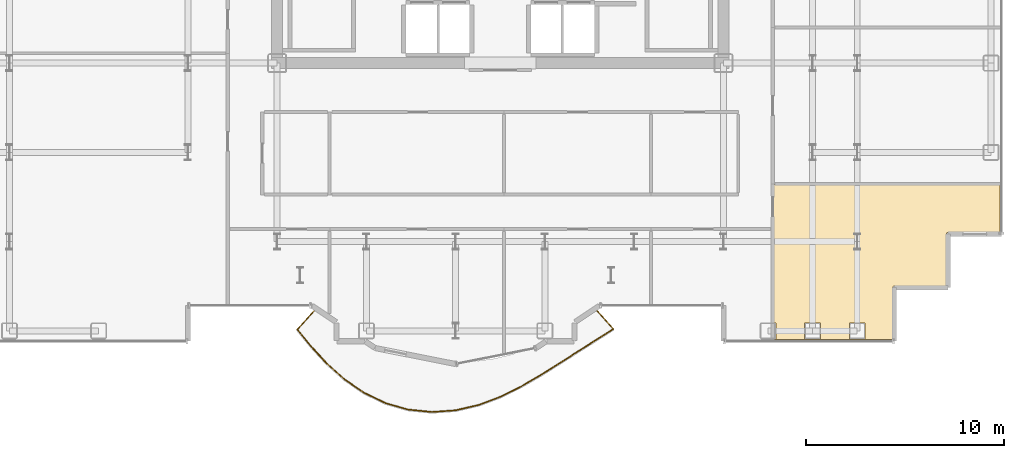
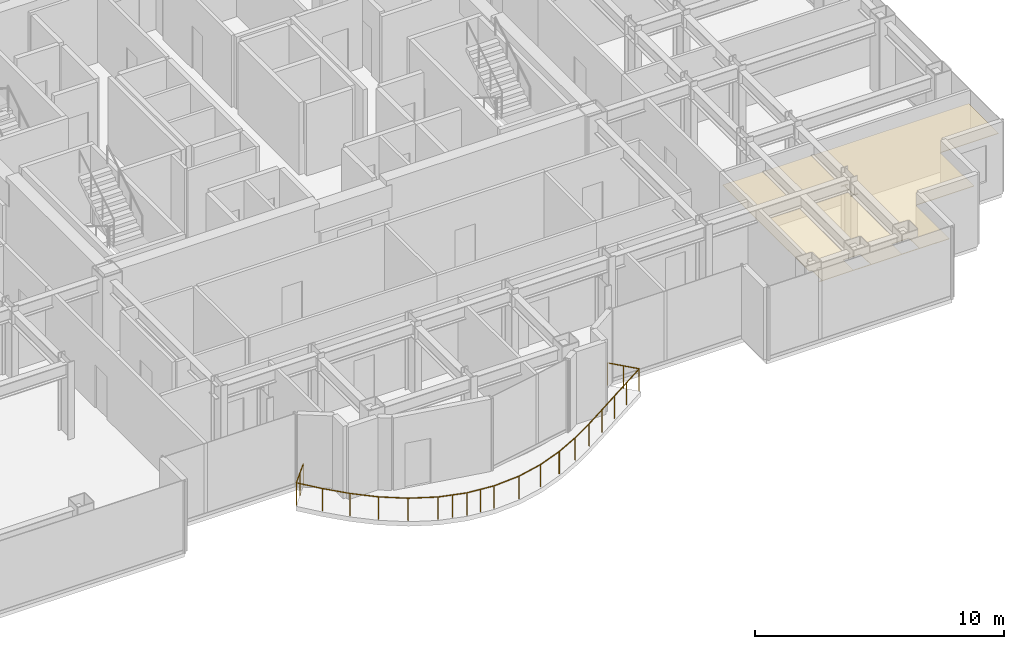
# One storey, part 22 of 23: 1 covering, 1 railing.
"""IFC4 building model written with IfcOpenShell, lengths in metres."""

from ifc_helpers import new_model, si_unit, direction, frame, origin, origin_2d, place, context, subcontext, project, spatial, polyline, circle, outline, extrude, material, layer, layer_set, type_object, element, save


model = new_model("IFC4")

# Units and contexts
model_context = context("Model", 3, precision=1e-05, world=origin(), true_north=direction((0.0, 1.0)))
body_context = subcontext(model_context, "Body", "Model", "MODEL_VIEW")
ifc_project = project(units=[si_unit("LENGTHUNIT", "METRE"), si_unit("AREAUNIT", "SQUARE_METRE"), si_unit("VOLUMEUNIT", "CUBIC_METRE"), si_unit("PLANEANGLEUNIT", "RADIAN"), si_unit("MASSUNIT", "GRAM", prefix="KILO")], contexts=[model_context])

# Site, building, storey
site_placement = place(None, origin())
site = spatial("IfcSite", under=ifc_project, at=site_placement, CompositionType="ELEMENT")
building_placement = place(site_placement, origin())
building = spatial("IfcBuilding", under=site, at=building_placement, Name="Nefas-Gora Pilgrimage Tower", CompositionType="ELEMENT")
storey_placement = place(building_placement, frame((0.0, 0.0, 164.0)))
storey = spatial("IfcBuildingStorey", under=building, at=storey_placement, Name="L40", CompositionType="ELEMENT", Elevation=164.0)

# Covering
ifc_material_1 = material(Name="Perforated gypsum acoustic ceiling")
ifc_layer = layer(ifc_material_1, 0.02490234375)
ifc_layer_set = layer_set([ifc_layer], Name="Perforated gypsum acoustic ceiling")
covering_type = type_object("IfcCoveringType", Name="COV-CEIL-ACOUST", PredefinedType="CEILING", material=ifc_layer_set)
covering_placement = place(storey_placement, frame((0.0, 0.0, 2.85498046875)))
element("IfcCovering", 1, at=covering_placement, inside=storey, type_object=covering_type, Name="L40 Acoustic Suspended Ceiling (Pilgrim Contemplative Lounge)", PredefinedType="CEILING", context=body_context, shape_type="SweptSolid", body=[
    extrude(outline(polyline([(13.77001953125, -22.097900390625), (13.902099609375, -22.097900390625), (13.902099609375, -22.902099609375), (13.77001953125, -22.902099609375), (13.77001953125, -22.93994140625), (19.7900390625, -22.93994140625), (19.7900390625, -20.320068359375), (19.790283203125, -20.312255859375), (19.79150390625, -20.304443359375), (19.79345703125, -20.296875), (19.796142578125, -20.289306640625), (19.79931640625, -20.2822265625), (19.803466796875, -20.275634765625), (19.80810546875, -20.269287109375), (19.8134765625, -20.263427734375), (19.819091796875, -20.25830078125), (19.82568359375, -20.25341796875), (19.832275390625, -20.24951171875), (19.83935546875, -20.24609375), (19.8466796875, -20.243408203125), (19.8544921875, -20.241455078125), (19.8623046875, -20.240478515625), (19.8701171875, -20.239990234375), (22.489990234375, -20.239990234375), (22.489990234375, -17.6201171875), (22.490478515625, -17.6123046875), (22.491455078125, -17.6044921875), (22.493408203125, -17.5966796875), (22.49609375, -17.58935546875), (22.49951171875, -17.582275390625), (22.50341796875, -17.57568359375), (22.50830078125, -17.569091796875), (22.513427734375, -17.5634765625), (22.519287109375, -17.55810546875), (22.525634765625, -17.553466796875), (22.5322265625, -17.54931640625), (22.539306640625, -17.546142578125), (22.546875, -17.54345703125), (22.554443359375, -17.54150390625), (22.562255859375, -17.540283203125), (22.570068359375, -17.5400390625), (25.18994140625, -17.5400390625), (25.18994140625, -15.12744140625), (13.77001953125, -15.12744140625), (13.77001953125, -17.35009765625), (13.77001953125, -22.097900390625)]), holes=[polyline([(18.402099609375, -22.097900390625), (18.402099609375, -22.902099609375), (17.597900390625, -22.902099609375), (17.597900390625, -22.097900390625), (18.402099609375, -22.097900390625)]), polyline([(18.153564453125, -17.591064453125), (18.153564453125, -17.635009765625), (18.012451171875, -17.635009765625), (18.012451171875, -18.364990234375), (18.153564453125, -18.364990234375), (18.153564453125, -18.408935546875), (17.846435546875, -18.408935546875), (17.846435546875, -18.364990234375), (17.987548828125, -18.364990234375), (17.987548828125, -17.635009765625), (17.846435546875, -17.635009765625), (17.846435546875, -17.591064453125), (18.153564453125, -17.591064453125)]), polyline([(16.152099609375, -22.902099609375), (15.347900390625, -22.902099609375), (15.347900390625, -22.097900390625), (16.152099609375, -22.097900390625), (16.152099609375, -22.902099609375)])]), origin(), (0.0, 0.0, 1.0), 0.02490234375),
])

# Railing
ifc_material_2 = material(Name="Laminated safety glass and stainless steel", Category="steel")
railing_type = type_object("IfcRailingType", Name="RLG-BAL-1100", PredefinedType="BALUSTRADE", material=ifc_material_2)
railing_placement = place(storey_placement, frame((-9.302490234375, -21.402587890625, 0.0)))
element("IfcRailing", 2, at=railing_placement, inside=storey, type_object=railing_type, Name="L40 Wave Balcony Balustrade S2", PredefinedType="BALUSTRADE", context=body_context, shape_type="SweptSolid", body=[
    extrude(circle(Radius=0.02392578125, at=origin_2d()), frame((0.0, 0.0, 1.09619140625), z_axis=(-0.669217868333, -0.743066245165, 0.0), x_axis=(0.743066245165, -0.669217868333, 0.0)), (0.0, 0.0, 1.0), 1.38525390625),
    extrude(circle(Radius=0.02392578125, at=origin_2d()), frame((-0.927001953125, -1.029296875, 1.09619140625), z_axis=(0.631629482569, -0.775270402343, 0.0), x_axis=(0.775270402343, 0.631629482569, 0.0)), (0.0, 0.0, 1.0), 1.125244140625),
    extrude(circle(Radius=0.02392578125, at=origin_2d()), frame((-0.21630859375, -1.901611328125, 1.09619140625), z_axis=(0.677893838632, -0.735159808167, 0.0), x_axis=(0.735159808167, 0.677893838632, 0.0)), (0.0, 0.0, 1.0), 1.1552734375),
    extrude(circle(Radius=0.02392578125, at=origin_2d()), frame((0.56689453125, -2.7509765625, 1.09619140625), z_axis=(0.744856770075, -0.667224394094, 0.0), x_axis=(0.667224394094, 0.744856770075, 0.0)), (0.0, 0.0, 1.0), 1.17919921875),
    extrude(circle(Radius=0.02392578125, at=origin_2d()), frame((1.4453125, -3.537841796875, 1.09619140625), z_axis=(0.823486360046, -0.567336068673, 0.0), x_axis=(0.567336068673, 0.823486360046, 0.0)), (0.0, 0.0, 1.0), 1.193359375),
    extrude(circle(Radius=0.02392578125, at=origin_2d()), frame((2.427978515625, -4.21484375, 1.09619140625), z_axis=(0.900372884274, -0.435119143757, 0.0), x_axis=(0.435119143757, 0.900372884274, 0.0)), (0.0, 0.0, 1.0), 1.198974609375),
    extrude(circle(Radius=0.02392578125, at=origin_2d()), frame((3.507568359375, -4.736572265625, 1.09619140625), z_axis=(0.96128569357, -0.275553652377, 0.0), x_axis=(0.275553652377, 0.96128569357, 0.0)), (0.0, 0.0, 1.0), 1.200439453125),
    extrude(circle(Radius=0.02392578125, at=origin_2d()), frame((4.66162109375, -5.0673828125, 1.09619140625), z_axis=(0.994878893823, -0.101074163988, 0.0), x_axis=(0.101074163988, 0.994878893823, 0.0)), (0.0, 0.0, 1.0), 1.200439453125),
    extrude(circle(Radius=0.02392578125, at=origin_2d()), frame((5.85595703125, -5.188720703125, 1.09619140625), z_axis=(0.997416168119, 0.071840013741, 0.0), x_axis=(-0.071840013741, 0.997416168119, 0.0)), (0.0, 0.0, 1.0), 1.19970703125),
    extrude(circle(Radius=0.02392578125, at=origin_2d()), frame((7.052490234375, -5.1025390625, 1.09619140625), z_axis=(0.973990202432, 0.226590126809, 0.0), x_axis=(-0.226590126809, 0.973990202432, 0.0)), (0.0, 0.0, 1.0), 1.19482421875),
    extrude(circle(Radius=0.02392578125, at=origin_2d()), frame((8.21630859375, -4.831787109375, 1.09619140625), z_axis=(0.935793373768, 0.352548949243, 0.0), x_axis=(-0.352548949243, 0.935793373768, 0.0)), (0.0, 0.0, 1.0), 1.18212890625),
    extrude(circle(Radius=0.02392578125, at=origin_2d()), frame((9.322509765625, -4.4150390625, 1.09619140625), z_axis=(0.895603061992, 0.444854083213, 0.0), x_axis=(-0.444854083213, 0.895603061992, 0.0)), (0.0, 0.0, 1.0), 1.15966796875),
    extrude(circle(Radius=0.02392578125, at=origin_2d()), frame((10.361083984375, -3.899169921875, 1.09619140625), z_axis=(0.863943403334, 0.503588915522, 0.0), x_axis=(-0.503588915522, 0.863943403334, 0.0)), (0.0, 0.0, 1.0), 1.130126953125),
    extrude(circle(Radius=0.02392578125, at=origin_2d()), frame((11.33740234375, -3.330078125, 1.09619140625), z_axis=(0.846310667587, 0.532689641282, 0.0), x_axis=(-0.532689641282, 0.846310667587, 0.0)), (0.0, 0.0, 1.0), 1.099853515625),
    extrude(circle(Radius=0.02392578125, at=origin_2d()), frame((12.268310546875, -2.744140625, 1.09619140625), z_axis=(0.841971362418, 0.539522219067, 0.0), x_axis=(-0.539522219067, 0.841971362418, 0.0)), (0.0, 0.0, 1.0), 1.079345703125),
    extrude(circle(Radius=0.02392578125, at=origin_2d()), frame((13.177001953125, -2.161865234375, 1.09619140625), z_axis=(0.844473528243, 0.535597292839, 0.0), x_axis=(-0.535597292839, 0.844473528243, 0.0)), (0.0, 0.0, 1.0), 1.07568359375),
    extrude(circle(Radius=0.02392578125, at=origin_2d()), frame((14.08544921875, -1.585693359375, 1.09619140625), z_axis=(0.843707572313, 0.536803066704, 0.0), x_axis=(-0.536803066704, 0.843707572313, 0.0)), (0.0, 0.0, 1.0), 1.090576171875),
    extrude(circle(Radius=0.02392578125, at=origin_2d()), frame((15.005615234375, -1.000244140625, 1.09619140625), z_axis=(-0.669135077133, 0.74314079995, 0.0), x_axis=(-0.74314079995, -0.669135077133, 0.0)), (0.0, 0.0, 1.0), 1.345947265625),
    extrude(circle(Radius=0.02099609375, at=origin_2d()), origin(), (0.0, 0.0, 1.0), 1.072021484375),
    extrude(circle(Radius=0.02099609375, at=origin_2d()), frame((-0.46337890625, -0.5146484375, 0.0)), (0.0, 0.0, 1.0), 1.072021484375),
    extrude(circle(Radius=0.02099609375, at=origin_2d()), frame((-0.927001953125, -1.029296875, 0.0)), (0.0, 0.0, 1.0), 1.072021484375),
    extrude(circle(Radius=0.02099609375, at=origin_2d()), frame((-0.21630859375, -1.901611328125, 0.0)), (0.0, 0.0, 1.0), 1.072021484375),
    extrude(circle(Radius=0.02099609375, at=origin_2d()), frame((0.56689453125, -2.7509765625, 0.0)), (0.0, 0.0, 1.0), 1.072021484375),
    extrude(circle(Radius=0.02099609375, at=origin_2d()), frame((1.4453125, -3.537841796875, 0.0)), (0.0, 0.0, 1.0), 1.072021484375),
    extrude(circle(Radius=0.02099609375, at=origin_2d()), frame((2.427978515625, -4.21484375, 0.0)), (0.0, 0.0, 1.0), 1.072021484375),
    extrude(circle(Radius=0.02099609375, at=origin_2d()), frame((3.507568359375, -4.736572265625, 0.0)), (0.0, 0.0, 1.0), 1.072021484375),
    extrude(circle(Radius=0.02099609375, at=origin_2d()), frame((4.08447265625, -4.90185546875, 0.0)), (0.0, 0.0, 1.0), 1.072021484375),
    extrude(circle(Radius=0.02099609375, at=origin_2d()), frame((4.66162109375, -5.0673828125, 0.0)), (0.0, 0.0, 1.0), 1.072021484375),
    extrude(circle(Radius=0.02099609375, at=origin_2d()), frame((5.2587890625, -5.1279296875, 0.0)), (0.0, 0.0, 1.0), 1.072021484375),
    extrude(circle(Radius=0.02099609375, at=origin_2d()), frame((5.85595703125, -5.188720703125, 0.0)), (0.0, 0.0, 1.0), 1.072021484375),
    extrude(circle(Radius=0.02099609375, at=origin_2d()), frame((7.052490234375, -5.1025390625, 0.0)), (0.0, 0.0, 1.0), 1.072021484375),
    extrude(circle(Radius=0.02099609375, at=origin_2d()), frame((8.21630859375, -4.831787109375, 0.0)), (0.0, 0.0, 1.0), 1.072021484375),
    extrude(circle(Radius=0.02099609375, at=origin_2d()), frame((9.322509765625, -4.4150390625, 0.0)), (0.0, 0.0, 1.0), 1.072021484375),
    extrude(circle(Radius=0.02099609375, at=origin_2d()), frame((10.361083984375, -3.899169921875, 0.0)), (0.0, 0.0, 1.0), 1.072021484375),
    extrude(circle(Radius=0.02099609375, at=origin_2d()), frame((11.33740234375, -3.330078125, 0.0)), (0.0, 0.0, 1.0), 1.072021484375),
    extrude(circle(Radius=0.02099609375, at=origin_2d()), frame((12.268310546875, -2.744140625, 0.0)), (0.0, 0.0, 1.0), 1.072021484375),
    extrude(circle(Radius=0.02099609375, at=origin_2d()), frame((13.177001953125, -2.161865234375, 0.0)), (0.0, 0.0, 1.0), 1.072021484375),
    extrude(circle(Radius=0.02099609375, at=origin_2d()), frame((14.08544921875, -1.585693359375, 0.0)), (0.0, 0.0, 1.0), 1.072021484375),
    extrude(circle(Radius=0.02099609375, at=origin_2d()), frame((15.005615234375, -1.000244140625, 0.0)), (0.0, 0.0, 1.0), 1.072021484375),
    extrude(circle(Radius=0.02099609375, at=origin_2d()), frame((14.55517578125, -0.5, 0.0)), (0.0, 0.0, 1.0), 1.072021484375),
    extrude(circle(Radius=0.02099609375, at=origin_2d()), frame((14.10498046875, 0.0, 0.0)), (0.0, 0.0, 1.0), 1.072021484375),
])

save(model, "model.ifc")
